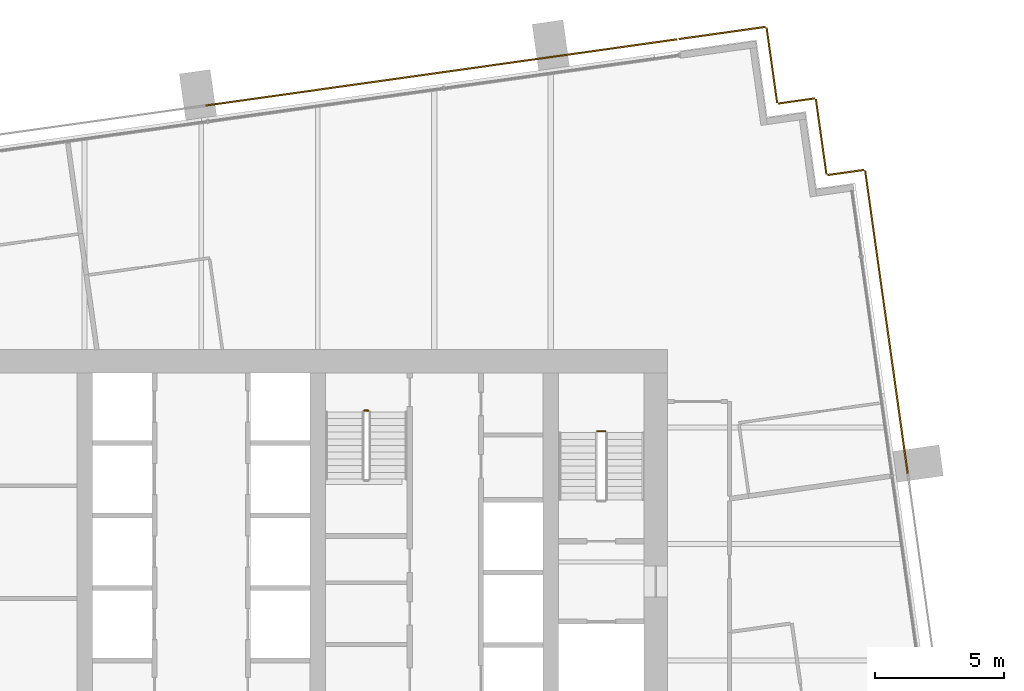
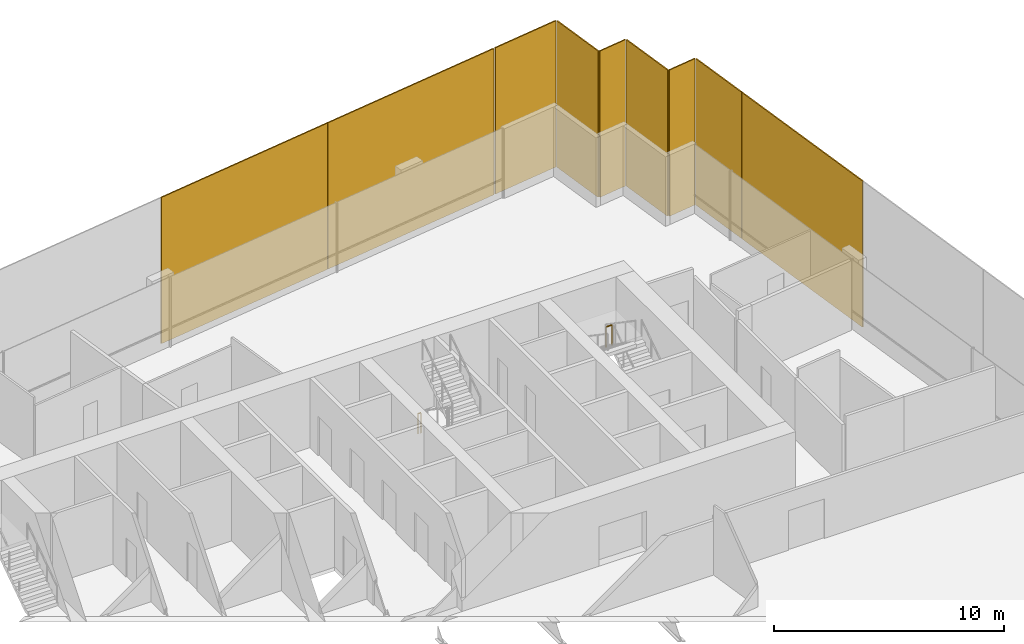
# One storey, part 17 of 17: 9 coverings, 2 railings.
"""IFC4 building model written with IfcOpenShell, lengths in metres."""

from ifc_helpers import new_model, si_unit, direction, frame, origin, origin_2d, place, context, subcontext, project, spatial, rectangle, extrude, material, layer, layer_set, type_object, element, save


model = new_model("IFC4")

# Units and contexts
model_context = context("Model", 3, precision=1e-05, world=origin(), true_north=direction((0.0, 1.0)))
body_context = subcontext(model_context, "Body", "Model", "MODEL_VIEW")
ifc_project = project(units=[si_unit("LENGTHUNIT", "METRE"), si_unit("AREAUNIT", "SQUARE_METRE"), si_unit("VOLUMEUNIT", "CUBIC_METRE"), si_unit("PLANEANGLEUNIT", "RADIAN"), si_unit("MASSUNIT", "GRAM", prefix="KILO")], contexts=[model_context])

# Site, building, storey
site_placement = place(None, origin())
site = spatial("IfcSite", under=ifc_project, at=site_placement, CompositionType="ELEMENT")
building_placement = place(site_placement, origin())
building = spatial("IfcBuilding", under=site, at=building_placement, Name="Rattan Terrace Tower", CompositionType="ELEMENT")
storey_placement = place(building_placement, frame((0.0, 0.0, 168.5)))
storey = spatial("IfcBuildingStorey", under=building, at=storey_placement, Name="L38", CompositionType="ELEMENT", Elevation=168.5)

# Railings
ifc_material_1 = material(Name="Powder-coated steel guard", Category="steel")
railing_type = type_object("IfcRailingType", Name="Core stair guard", PredefinedType="GUARDRAIL", material=ifc_material_1)
railing_1_placement = place(storey_placement, frame((15.60009765625, 4.35009765625, 1.949951171875)))
element("IfcRailing", 1, at=railing_1_placement, inside=storey, type_object=railing_type, Name="L38 S2 stair guard 2", PredefinedType="GUARDRAIL", context=body_context, shape_type="SweptSolid", body=[
    extrude(rectangle(XDim=0.048095703125, YDim=0.048095703125, at=origin_2d()), frame((0.0, 0.0, 1.076171875), z_axis=(-1.0, 0.0, 0.0), x_axis=(0.0, -1.0, 0.0)), (0.0, 0.0, 1.0), 0.300048828125),
    extrude(rectangle(XDim=0.0419921875, YDim=0.0419921875, at=origin_2d()), origin(), (0.0, 0.0, 1.0), 1.052001953125),
    extrude(rectangle(XDim=0.0419921875, YDim=0.0419921875, at=origin_2d()), frame((-0.300048828125, 0.0, 0.0)), (0.0, 0.0, 1.0), 1.052001953125),
])
railing_2_placement = place(storey_placement, frame((6.300048828125, 5.14990234375, 0.0)))
element("IfcRailing", 2, at=railing_2_placement, inside=storey, type_object=railing_type, Name="L38 S3 stair guard 4", PredefinedType="GUARDRAIL", context=body_context, shape_type="SweptSolid", body=[
    extrude(rectangle(XDim=0.048095703125, YDim=0.048095703125, at=origin_2d()), frame((0.0, 0.0, 1.076171875), z_axis=(1.0, 0.0, 0.0), x_axis=(0.0, 1.0, 0.0)), (0.0, 0.0, 1.0), 0.14990234375),
    extrude(rectangle(XDim=0.0419921875, YDim=0.0419921875, at=origin_2d()), origin(), (0.0, 0.0, 1.0), 1.052001953125),
    extrude(rectangle(XDim=0.0419921875, YDim=0.0419921875, at=origin_2d()), frame((0.14990234375, 0.0, 0.0)), (0.0, 0.0, 1.0), 1.052001953125),
])

# Coverings
ifc_material_2 = material(Name="Perforated terracotta", Category="masonry")
ifc_layer = layer(ifc_material_2, 0.06005859375)
ifc_layer_set = layer_set([ifc_layer], Name="Facade Terracotta Screen Panel")
covering_type = type_object("IfcCoveringType", Name="Facade Terracotta Screen Panel", PredefinedType="CLADDING", material=ifc_layer_set)
covering_1_placement = place(storey_placement, frame((26.6865234375, 6.945556640625, -0.18994140625), z_axis=(0.0, 0.0, 1.0), x_axis=(-0.139190856006, 0.99026557327, 0.0)))
element("IfcCovering", 3, at=covering_1_placement, inside=storey, type_object=covering_type, Name="OUTER SKIN panel L38-8", PredefinedType="CLADDING", context=body_context, shape_type="SweptSolid", body=[
    extrude(rectangle(XDim=8.530029296875, YDim=0.06005859375, at=origin_2d()), origin(), (0.0, 0.0, 1.0), 7.780029296875),
])
covering_2_placement = place(storey_placement, frame((25.86376953125, 12.79833984375, -0.18994140625), z_axis=(0.0, 0.0, 1.0), x_axis=(-0.139190856006, 0.99026557327, 0.0)))
element("IfcCovering", 4, at=covering_2_placement, inside=storey, type_object=covering_type, Name="OUTER SKIN panel L38-9", PredefinedType="CLADDING", context=body_context, shape_type="SweptSolid", body=[
    extrude(rectangle(XDim=3.25048828125, YDim=0.06005859375, at=origin_2d()), origin(), (0.0, 0.0, 1.0), 7.780029296875),
])
covering_3_placement = place(storey_placement, frame((24.889404296875, 14.3427734375, -0.18994140625), z_axis=(0.0, 0.0, 1.0), x_axis=(-0.990240767803, -0.139367219175, 0.0)))
element("IfcCovering", 5, at=covering_3_placement, inside=storey, type_object=covering_type, Name="OUTER SKIN panel L38-10", PredefinedType="CLADDING", context=body_context, shape_type="SweptSolid", body=[
    extrude(rectangle(XDim=1.419677734375, YDim=0.06005859375, at=origin_2d()), origin(), (0.0, 0.0, 1.0), 7.780029296875),
])
covering_4_placement = place(storey_placement, frame((23.93798828125, 15.723876953125, -0.18994140625), z_axis=(0.0, 0.0, 1.0), x_axis=(-0.139321220646, 0.990247240581, 0.0)))
element("IfcCovering", 6, at=covering_4_placement, inside=storey, type_object=covering_type, Name="OUTER SKIN panel L38-11", PredefinedType="CLADDING", context=body_context, shape_type="SweptSolid", body=[
    extrude(rectangle(XDim=2.920166015625, YDim=0.06005859375, at=origin_2d()), origin(), (0.0, 0.0, 1.0), 7.780029296875),
])
covering_5_placement = place(storey_placement, frame((22.986328125, 17.104736328125, -0.18994140625), z_axis=(0.0, 0.0, 1.0), x_axis=(-0.990240767803, -0.139367219175, 0.0)))
element("IfcCovering", 7, at=covering_5_placement, inside=storey, type_object=covering_type, Name="OUTER SKIN panel L38-12", PredefinedType="CLADDING", context=body_context, shape_type="SweptSolid", body=[
    extrude(rectangle(XDim=1.419677734375, YDim=0.06005859375, at=origin_2d()), origin(), (0.0, 0.0, 1.0), 7.780029296875),
])
covering_6_placement = place(storey_placement, frame((22.034912109375, 18.48583984375, -0.18994140625), z_axis=(0.0, 0.0, 1.0), x_axis=(-0.139321220646, 0.990247240581, 0.0)))
element("IfcCovering", 8, at=covering_6_placement, inside=storey, type_object=covering_type, Name="OUTER SKIN panel L38-13", PredefinedType="CLADDING", context=body_context, shape_type="SweptSolid", body=[
    extrude(rectangle(XDim=2.920166015625, YDim=0.06005859375, at=origin_2d()), origin(), (0.0, 0.0, 1.0), 7.780029296875),
])
covering_7_placement = place(storey_placement, frame((20.1181640625, 19.73095703125, -0.18994140625), z_axis=(0.0, 0.0, 1.0), x_axis=(-0.990240767803, -0.139367219175, 0.0)))
element("IfcCovering", 9, at=covering_7_placement, inside=storey, type_object=covering_type, Name="OUTER SKIN panel L38-14", PredefinedType="CLADDING", context=body_context, shape_type="SweptSolid", body=[
    extrude(rectangle(XDim=3.369140625, YDim=0.06005859375, at=origin_2d()), origin(), (0.0, 0.0, 1.0), 7.780029296875),
])
covering_8_placement = place(storey_placement, frame((13.833740234375, 18.847412109375, -0.18994140625), z_axis=(0.0, 0.0, 1.0), x_axis=(-0.990269702686, -0.139161474347, 0.0)))
element("IfcCovering", 10, at=covering_8_placement, inside=storey, type_object=covering_type, Name="OUTER SKIN panel L38-15", PredefinedType="CLADDING", context=body_context, shape_type="SweptSolid", body=[
    extrude(rectangle(XDim=9.162841796875, YDim=0.06005859375, at=origin_2d()), origin(), (0.0, 0.0, 1.0), 7.780029296875),
])
covering_9_placement = place(storey_placement, frame((4.725341796875, 17.5673828125, -0.18994140625), z_axis=(0.0, 0.0, 1.0), x_axis=(-0.990269702686, -0.139161474347, 0.0)))
element("IfcCovering", 11, at=covering_9_placement, inside=storey, type_object=covering_type, Name="OUTER SKIN panel L38-16", PredefinedType="CLADDING", context=body_context, shape_type="SweptSolid", body=[
    extrude(rectangle(XDim=9.193115234375, YDim=0.06005859375, at=origin_2d()), origin(), (0.0, 0.0, 1.0), 7.780029296875),
])

save(model, "model.ifc")
